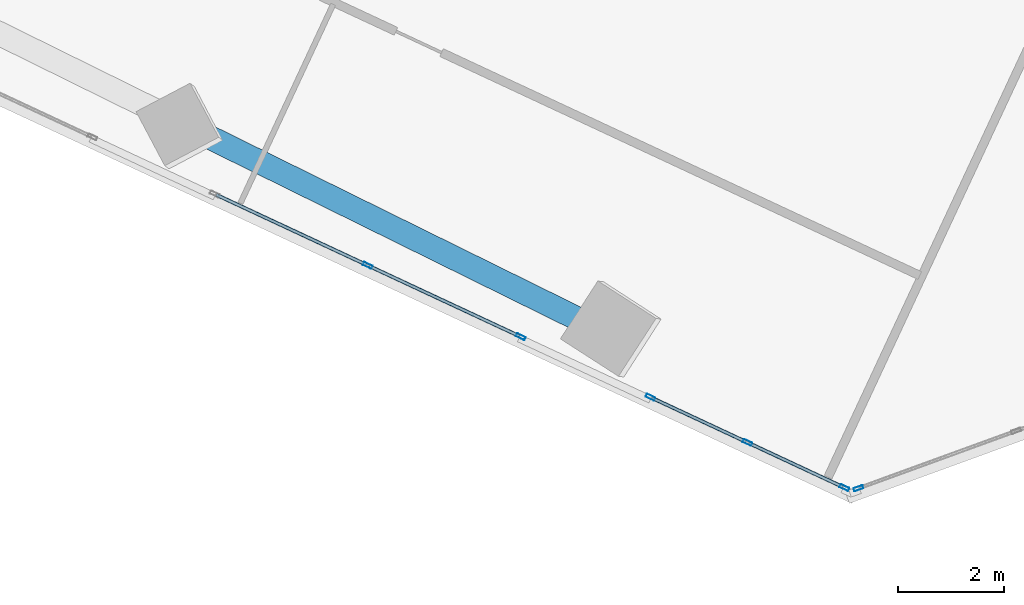
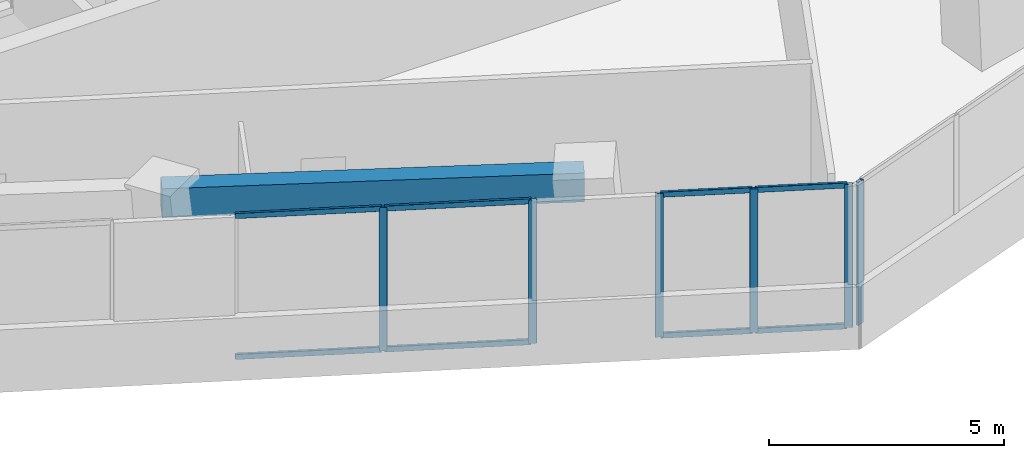
# One storey, part 4 of 23: 14 members, 1 beam, 3 elements without a shape of their own.
"""IFC4 building model written with IfcOpenShell, lengths in metres."""

import ifcopenshell
import ifcopenshell.guid

model = None  # the IFC model being written
_history = None  # IfcOwnerHistory: only IFC2X3 demands one
_inside = {}  # id of a spatial element -> (the spatial element, [elements in it])
_under = {}  # id of a project, library or spatial element -> (it, [spatial elements below it])
_declared = {}  # id of a project -> (the project, [libraries it declares])
_typed = {}  # id of a type object -> (the type object, [elements of that type])
_made_of = {}  # id of a material, layer set ... -> (it, [elements and type objects made of it])


def new_model(schema):
    """Start an empty IFC model of exactly this schema.

    Asked for "IFC4X3", IfcOpenShell would pick the latest addendum, in which some entities
    have other attributes; the version numbers below select the first issue.
    IFC2X3 requires an IfcOwnerHistory on every rooted entity: one is made here for all.
    """
    global model, _history
    if schema == "IFC4X3":
        model = ifcopenshell.file(schema_version=(4, 3, 0, 0))
    else:
        model = ifcopenshell.file(schema=schema)
    _inside.clear()
    _under.clear()
    _declared.clear()
    _typed.clear()
    _made_of.clear()
    _history = None
    if model.schema == "IFC2X3":
        org = make("IfcOrganization", Name="unknown")
        user = make(
            "IfcPersonAndOrganization",
            ThePerson=make("IfcPerson", FamilyName="unknown"),
            TheOrganization=org,
        )
        app = make(
            "IfcApplication",
            ApplicationDeveloper=org,
            Version="unknown",
            ApplicationFullName="unknown",
            ApplicationIdentifier="unknown",
        )
        _history = make(
            "IfcOwnerHistory",
            OwningUser=user,
            OwningApplication=app,
            ChangeAction="ADDED",
            CreationDate=0,
        )
    return model


def make(cls, **values):
    """One entity of the class cls with the attributes given. An attribute that is None is left unset."""
    return model.create_entity(
        cls, **{name: value for name, value in values.items() if value is not None}
    )


def rooted(cls, **values):
    """An entity with a GlobalId (a new one), such as an element, a storey or a relation."""
    return make(cls, GlobalId=ifcopenshell.guid.new(), OwnerHistory=_history, **values)


def si_unit(unit_type, name, prefix=None):
    """IfcSIUnit, for example si_unit("LENGTHUNIT", "METRE", prefix="MILLI")."""
    return make("IfcSIUnit", UnitType=unit_type, Prefix=prefix, Name=name)


def assignment(units):
    """IfcUnitAssignment: the units of a project."""
    return None if units is None else make("IfcUnitAssignment", Units=units)


def point(xyz):
    """IfcCartesianPoint."""
    return None if xyz is None else make("IfcCartesianPoint", Coordinates=xyz)


def direction(xyz):
    """IfcDirection."""
    return None if xyz is None else make("IfcDirection", DirectionRatios=xyz)


def frame(location, z_axis=None, x_axis=None):
    """IfcAxis2Placement3D, a coordinate frame: its origin and axes. An axis left out is left unset."""
    return make(
        "IfcAxis2Placement3D",
        Location=point(location),
        Axis=direction(z_axis),
        RefDirection=direction(x_axis),
    )


def frame_2d(location, x_axis=None):
    """IfcAxis2Placement2D, a coordinate frame in the plane: its origin and x axis."""
    return make(
        "IfcAxis2Placement2D", Location=point(location), RefDirection=direction(x_axis)
    )


def origin():
    """The frame at (0, 0, 0) with its axes left unset."""
    return frame((0.0, 0.0, 0.0))


def origin_2d():
    """The frame at (0, 0) in the plane with its x axis left unset."""
    return frame_2d((0.0, 0.0))


def place(relative_to, where):
    """IfcLocalPlacement: puts the frame where relative to a parent placement (None: the world)."""
    return make(
        "IfcLocalPlacement", PlacementRelTo=relative_to, RelativePlacement=where
    )


def context(
    kind, dimensions, precision=None, world=None, true_north=None, identifier=None
):
    """IfcGeometricRepresentationContext, for example the 3D "Model" context."""
    return make(
        "IfcGeometricRepresentationContext",
        ContextIdentifier=identifier,
        ContextType=kind,
        CoordinateSpaceDimension=dimensions,
        Precision=precision,
        WorldCoordinateSystem=world,
        TrueNorth=true_north,
    )


def subcontext(parent, identifier, kind, view, scale=None):
    """IfcGeometricRepresentationSubContext, for example "Body" below "Model"."""
    return make(
        "IfcGeometricRepresentationSubContext",
        ContextIdentifier=identifier,
        ContextType=kind,
        ParentContext=parent,
        TargetScale=scale,
        TargetView=view,
    )


def project(units=None, contexts=None):
    """IfcProject with its units and contexts."""
    return rooted(
        "IfcProject",
        Name="project",
        RepresentationContexts=contexts,
        UnitsInContext=assignment(units),
    )


def spatial(cls, under=None, at=None, **own):
    """A site, building, storey or space (cls), placed at a placement, below another one or the project."""
    s = rooted(cls, ObjectPlacement=at, **own)
    if under is not None:
        _under.setdefault(under.id(), (under, []))[1].append(s)
    return s


def profile(cls, at=None, kind="AREA", **sizes):
    """A parametric profile (cls). Its sizes go by their IFC names, for example OverallWidth=200.0."""
    return make(cls, ProfileType=kind, Position=at, **sizes)


def rectangle(**sizes):
    """IfcRectangleProfileDef."""
    return profile("IfcRectangleProfileDef", **sizes)


def hollow_rectangle(**sizes):
    """IfcRectangleHollowProfileDef."""
    return profile("IfcRectangleHollowProfileDef", **sizes)


def extrude(swept, where, along, depth):
    """IfcExtrudedAreaSolid: the profile swept, set in the frame where, extruded along a direction by depth."""
    return make(
        "IfcExtrudedAreaSolid",
        SweptArea=swept,
        Position=where,
        ExtrudedDirection=direction(along),
        Depth=depth,
    )


def shape(context_of_items, identifier, shape_type, items):
    """IfcShapeRepresentation: the items that make up one representation, for example the "Body"."""
    return make(
        "IfcShapeRepresentation",
        ContextOfItems=context_of_items,
        RepresentationIdentifier=identifier,
        RepresentationType=shape_type,
        Items=items,
    )


def source(mapping_origin, context_of_items, identifier, shape_type, items):
    """IfcRepresentationMap: a shape defined once, which mapped items show again and again."""
    return make(
        "IfcRepresentationMap",
        MappingOrigin=mapping_origin,
        MappedRepresentation=shape(context_of_items, identifier, shape_type, items),
    )


def transform(
    local_origin,
    x_axis=None,
    y_axis=None,
    z_axis=None,
    scale=None,
    scale2=None,
    scale3=None,
    uniform=True,
):
    """IfcCartesianTransformationOperator3D, or its non-uniform kind. x_axis, y_axis, z_axis: its Axis1, 2, 3."""
    if uniform:
        return make(
            "IfcCartesianTransformationOperator3D",
            Axis1=direction(x_axis),
            Axis2=direction(y_axis),
            LocalOrigin=point(local_origin),
            Scale=scale,
            Axis3=direction(z_axis),
        )
    return make(
        "IfcCartesianTransformationOperator3DnonUniform",
        Axis1=direction(x_axis),
        Axis2=direction(y_axis),
        LocalOrigin=point(local_origin),
        Scale=scale,
        Axis3=direction(z_axis),
        Scale2=scale2,
        Scale3=scale3,
    )


def mapped(mapping_source, mapping_target):
    """IfcMappedItem: shows the shape of a source again, moved by a transform."""
    return make(
        "IfcMappedItem", MappingSource=mapping_source, MappingTarget=mapping_target
    )


def material(Name=None, Category=None):
    """IfcMaterial."""
    return make("IfcMaterial", Name=Name, Category=Category)


def material_profile(
    of_material, cross_section, Name=None, Category=None, Priority=None
):
    """IfcMaterialProfile: a cross section and its material."""
    return make(
        "IfcMaterialProfile",
        Name=Name,
        Material=of_material,
        Profile=cross_section,
        Priority=Priority,
        Category=Category,
    )


def profile_set(profiles, Name=None, composite=None):
    """IfcMaterialProfileSet."""
    return make(
        "IfcMaterialProfileSet",
        Name=Name,
        MaterialProfiles=profiles,
        CompositeProfile=composite,
    )


def made_of(thing, what):
    """Note that an element or type object is made of a material, layer set ...; save() writes the relation."""
    if what is not None:
        _made_of.setdefault(what.id(), (what, []))[1].append(thing)
    return thing


def type_object(cls, material=None, **own):
    """A type object (cls), such as IfcWallType, which elements share."""
    return made_of(rooted(cls, **own), material)


def element(
    cls,
    number,
    at=None,
    inside=None,
    cuts=None,
    type_object=None,
    material=None,
    context=None,
    identifier="Body",
    shape_type=None,
    held_by="IfcProductDefinitionShape",
    body=None,
    shapes=None,
    **own,
):
    """One element of the class cls, such as IfcWall. Its Tag is "e" and its number.

    at: its placement. inside: the storey or other place that contains it. cuts: it is an
    opening in that element (IfcRelVoidsElement). A single representation is given by context,
    identifier, shape_type and body (its items); several are given by shapes. held_by: the class
    of the entity that holds the representations. save() writes the other relations.
    """
    e = rooted(cls, Tag="e%d" % number, ObjectPlacement=at, **own)
    if body is not None:
        shapes = [shape(context, identifier, shape_type, body)]
    if shapes is not None:
        e.Representation = make(held_by, Representations=shapes)
    if inside is not None:
        _inside.setdefault(inside.id(), (inside, []))[1].append(e)
    if cuts is not None:
        rooted(
            "IfcRelVoidsElement", RelatingBuildingElement=cuts, RelatedOpeningElement=e
        )
    if type_object is not None:
        _typed.setdefault(type_object.id(), (type_object, []))[1].append(e)
    return made_of(e, material)


def aggregate(whole, parts):
    """IfcRelAggregates: a whole, such as a stair, and the parts it consists of."""
    return rooted("IfcRelAggregates", RelatingObject=whole, RelatedObjects=parts)


def save(model, path):
    """Write the relations noted so far, then the file.

    IfcRelAggregates (storeys below a building ...), IfcRelContainedInSpatialStructure (elements
    in a storey), IfcRelDefinesByType, IfcRelAssociatesMaterial and IfcRelDeclares: one each for
    every whole, place, type object, material and project.
    """
    for whole, parts in _under.values():
        aggregate(whole, parts)
    for where, things in _inside.values():
        rooted(
            "IfcRelContainedInSpatialStructure",
            RelatedElements=things,
            RelatingStructure=where,
        )
    for kind, things in _typed.values():
        rooted("IfcRelDefinesByType", RelatedObjects=things, RelatingType=kind)
    for what, things in _made_of.values():
        rooted("IfcRelAssociatesMaterial", RelatedObjects=things, RelatingMaterial=what)
    for by, libraries in _declared.values():
        rooted("IfcRelDeclares", RelatingContext=by, RelatedDefinitions=libraries)
    model.write(path)


model = new_model("IFC4")

# Units and contexts
model_context = context("Model", 3, precision=1e-05, world=origin(), true_north=direction((0.0, 1.0)))
body_context = subcontext(model_context, "Body", "Model", "MODEL_VIEW")
ifc_project = project(units=[si_unit("LENGTHUNIT", "METRE"), si_unit("AREAUNIT", "SQUARE_METRE"), si_unit("VOLUMEUNIT", "CUBIC_METRE"), si_unit("PLANEANGLEUNIT", "RADIAN"), si_unit("MASSUNIT", "GRAM", prefix="KILO")], contexts=[model_context])

# Site, building, storey
site_placement = place(None, origin())
site = spatial("IfcSite", under=ifc_project, at=site_placement, CompositionType="ELEMENT")
building_placement = place(site_placement, origin())
building = spatial("IfcBuilding", under=site, at=building_placement, Name="Torre Montelarca", CompositionType="ELEMENT")
storey_placement = place(building_placement, frame((0.0, 0.0, 158.199951171875)))
storey = spatial("IfcBuildingStorey", under=building, at=storey_placement, Name="L35", CompositionType="ELEMENT", Elevation=158.199951171875)

# Beam
ifc_material_1 = material(Name="Concrete C55/67", Category="concrete")
ifc_material_profile_1 = material_profile(ifc_material_1, rectangle(XDim=0.449951171875, YDim=0.75, at=origin_2d()), Name="RCB450X750", Category="concrete")
ifc_profile_set_1 = profile_set([ifc_material_profile_1], Name="Concrete C55/67")
beam_type = type_object("IfcBeamType", Name="BM-SP-RC750-EXT", PredefinedType="SPANDREL", material=ifc_profile_set_1)
shared_shape_1 = source(origin(), body_context, "Body", "SweptSolid", [
    extrude(rectangle(XDim=0.449951171875, YDim=0.75, at=origin_2d()), origin(), (0.0, 0.0, 1.0), 9.0),
])
beam_placement = place(storey_placement, frame((10.753662109375, 18.121826171875, 3.5849609375), z_axis=(0.896866006126, -0.44230234801, 0.0), x_axis=(0.44230234801, 0.896866006126, 0.0)))
element("IfcBeam", 1, at=beam_placement, inside=storey, type_object=beam_type, Name="L35 Grid Girder X 18.0-27.0 at Y=14.8", PredefinedType="SPANDREL", context=body_context, shape_type="MappedRepresentation", body=[
    mapped(shared_shape_1, transform((0.0, 0.0, 0.0), scale=1.0)),
])

# Curtain wall, members
ifc_material_2 = material(Name="Insulated low-E laminated glass", Category="glass")
curtain_wall_type = type_object("IfcCurtainWallType", Name="CW-SYS-Z2", PredefinedType="USERDEFINED", material=ifc_material_2)
curtain_wall_1_placement = place(storey_placement, origin())
curtain_wall_1 = element("IfcCurtainWall", 2, at=curtain_wall_1_placement, inside=storey, type_object=curtain_wall_type, Name="L35 Curtain Wall Run CW-T3-L35-E01-B2", ObjectType="UNITISED GLAZING", PredefinedType="USERDEFINED")
ifc_material_3 = material(Name="Anodised aluminium AA 6063-T6", Category="aluminium")
ifc_material_profile_2 = material_profile(ifc_material_3, hollow_rectangle(XDim=0.06494140625, YDim=0.179931640625, WallThickness=0.00390625, InnerFilletRadius=0.00390625, OuterFilletRadius=0.008056640625, at=origin_2d()), Name="ALU65X180X4", Category="aluminium")
ifc_profile_set_2 = profile_set([ifc_material_profile_2], Name="Anodised aluminium AA 6063-T6")
member_type_1 = type_object("IfcMemberType", Name="CWM-ALU180", PredefinedType="MULLION", material=ifc_profile_set_2)
shared_shape_2 = source(origin(), body_context, "Body", "SweptSolid", [
    extrude(hollow_rectangle(XDim=0.06494140625, YDim=0.179931640625, WallThickness=0.00390625, InnerFilletRadius=0.00390625, OuterFilletRadius=0.008056640625, at=origin_2d()), origin(), (0.0, 0.0, 1.0), 3.719970703125),
])
member_1_placement = place(storey_placement, frame((14.56494140625, 15.2958984375, 0.0), z_axis=(0.0, 0.0, 1.0), x_axis=(0.422605702085, 0.906313643594, 0.0)))
member_1 = element("IfcMember", 3, at=member_1_placement, type_object=member_type_1, Name="CW mullion 2", PredefinedType="MULLION", context=body_context, shape_type="MappedRepresentation", body=[
    mapped(shared_shape_2, transform((0.0, 0.0, 0.0), scale=1.0)),
])
member_2_placement = place(storey_placement, frame((17.453125, 13.94921875, 0.0), z_axis=(0.0, 0.0, 1.0), x_axis=(0.422605702085, 0.906313643594, 0.0)))
member_2 = element("IfcMember", 4, at=member_2_placement, type_object=member_type_1, Name="CW mullion 3", PredefinedType="MULLION", context=body_context, shape_type="MappedRepresentation", body=[
    mapped(shared_shape_2, transform((0.0, 0.0, 0.0), scale=1.0)),
])

curtain_wall_2_placement = place(storey_placement, origin())
curtain_wall_2 = element("IfcCurtainWall", 5, at=curtain_wall_2_placement, inside=storey, type_object=curtain_wall_type, Name="L35 Curtain Wall Run CW-T3-L35-E01-B3", ObjectType="UNITISED GLAZING", PredefinedType="USERDEFINED")
member_3_placement = place(storey_placement, frame((19.901611328125, 12.807373046875, 0.0), z_axis=(0.0, 0.0, 1.0), x_axis=(0.422611990299, 0.906310711432, 0.0)))
member_3 = element("IfcMember", 6, at=member_3_placement, type_object=member_type_1, Name="CW mullion 1", PredefinedType="MULLION", context=body_context, shape_type="MappedRepresentation", body=[
    mapped(shared_shape_2, transform((0.0, 0.0, 0.0), scale=1.0)),
])
member_4_placement = place(storey_placement, frame((21.73193359375, 11.953857421875, 0.0), z_axis=(0.0, 0.0, 1.0), x_axis=(0.422611990299, 0.906310711432, 0.0)))
member_4 = element("IfcMember", 7, at=member_4_placement, type_object=member_type_1, Name="CW mullion 2", PredefinedType="MULLION", context=body_context, shape_type="MappedRepresentation", body=[
    mapped(shared_shape_2, transform((0.0, 0.0, 0.0), scale=1.0)),
])
member_5_placement = place(storey_placement, frame((23.562255859375, 11.100341796875, 0.0), z_axis=(0.0, 0.0, 1.0), x_axis=(0.422611990299, 0.906310711432, 0.0)))
member_5 = element("IfcMember", 8, at=member_5_placement, type_object=member_type_1, Name="CW mullion 3", PredefinedType="MULLION", context=body_context, shape_type="MappedRepresentation", body=[
    mapped(shared_shape_2, transform((0.0, 0.0, 0.0), scale=1.0)),
])

# Curtain wall, member
curtain_wall_3_placement = place(storey_placement, origin())
curtain_wall_3 = element("IfcCurtainWall", 9, at=curtain_wall_3_placement, inside=storey, type_object=curtain_wall_type, Name="L35 Curtain Wall Run CW-T3-L35-E02-B1", ObjectType="UNITISED GLAZING", PredefinedType="USERDEFINED")
member_6_placement = place(storey_placement, frame((23.8291015625, 11.088623046875, 0.0), z_axis=(0.0, 0.0, 1.0), x_axis=(-0.342017799316, 0.939693473932, 0.0)))
member_6 = element("IfcMember", 10, at=member_6_placement, type_object=member_type_1, Name="CW mullion 1", PredefinedType="MULLION", context=body_context, shape_type="MappedRepresentation", body=[
    mapped(shared_shape_2, transform((0.0, 0.0, 0.0), scale=1.0)),
])
aggregate(curtain_wall_3, [member_6])

# Member
ifc_material_profile_3 = material_profile(ifc_material_3, hollow_rectangle(XDim=0.06494140625, YDim=0.139892578125, WallThickness=0.00390625, InnerFilletRadius=0.00390625, OuterFilletRadius=0.008056640625, at=origin_2d()), Name="ALU65X140X4", Category="aluminium")
ifc_profile_set_3 = profile_set([ifc_material_profile_3], Name="Anodised aluminium AA 6063-T6")
member_type_2 = type_object("IfcMemberType", Name="CWT-ALU140", PredefinedType="USERDEFINED", material=ifc_profile_set_3)
shared_shape_3 = source(origin(), body_context, "Body", "SweptSolid", [
    extrude(hollow_rectangle(XDim=0.06494140625, YDim=0.139892578125, WallThickness=0.00390625, InnerFilletRadius=0.00390625, OuterFilletRadius=0.008056640625, at=origin_2d()), origin(), (0.0, 0.0, 1.0), 3.12158203125),
])
member_7_placement = place(storey_placement, frame((14.594482421875, 15.2822265625, 0.032470703125), z_axis=(0.906294999648, -0.422645683301, 0.0), x_axis=(0.422645683301, 0.906294999648, 0.0)))
member_7 = element("IfcMember", 11, at=member_7_placement, type_object=member_type_2, Name="CW transom 2.1", ObjectType="TRANSOM", PredefinedType="USERDEFINED", context=body_context, shape_type="MappedRepresentation", body=[
    mapped(shared_shape_3, transform((0.0, 0.0, 0.0), scale=1.0)),
])

member_8_placement = place(storey_placement, frame((14.594482421875, 15.2822265625, 3.6875), z_axis=(0.906294999648, -0.422645683301, 0.0), x_axis=(0.422645683301, 0.906294999648, 0.0)))
member_8 = element("IfcMember", 12, at=member_8_placement, type_object=member_type_2, Name="CW transom 2.2", ObjectType="TRANSOM", PredefinedType="USERDEFINED", context=body_context, shape_type="MappedRepresentation", body=[
    mapped(shared_shape_3, transform((0.0, 0.0, 0.0), scale=1.0)),
])

shared_shape_4 = source(origin(), body_context, "Body", "SweptSolid", [
    extrude(hollow_rectangle(XDim=0.06494140625, YDim=0.139892578125, WallThickness=0.00390625, InnerFilletRadius=0.00390625, OuterFilletRadius=0.008056640625, at=origin_2d()), origin(), (0.0, 0.0, 1.0), 3.121826171875),
])
member_9_placement = place(storey_placement, frame((11.706298828125, 16.62890625, 0.032470703125), z_axis=(0.906308968728, -0.422615727587, 0.0), x_axis=(0.422615727587, 0.906308968728, 0.0)))
member_9 = element("IfcMember", 13, at=member_9_placement, type_object=member_type_2, Name="CW transom 1.1", ObjectType="TRANSOM", PredefinedType="USERDEFINED", context=body_context, shape_type="MappedRepresentation", body=[
    mapped(shared_shape_4, transform((0.0, 0.0, 0.0), scale=1.0)),
])

member_10_placement = place(storey_placement, frame((11.706298828125, 16.62890625, 3.6875), z_axis=(0.906308968728, -0.422615727587, 0.0), x_axis=(0.422615727587, 0.906308968728, 0.0)))
member_10 = element("IfcMember", 14, at=member_10_placement, type_object=member_type_2, Name="CW transom 1.2", ObjectType="TRANSOM", PredefinedType="USERDEFINED", context=body_context, shape_type="MappedRepresentation", body=[
    mapped(shared_shape_4, transform((0.0, 0.0, 0.0), scale=1.0)),
])

aggregate(curtain_wall_1, [member_1, member_2, member_9, member_10, member_7, member_8])

shared_shape_5 = source(origin(), body_context, "Body", "SweptSolid", [
    extrude(hollow_rectangle(XDim=0.06494140625, YDim=0.139892578125, WallThickness=0.00390625, InnerFilletRadius=0.00390625, OuterFilletRadius=0.008056640625, at=origin_2d()), origin(), (0.0, 0.0, 1.0), 1.954345703125),
])
member_11_placement = place(storey_placement, frame((19.93115234375, 12.793701171875, 0.032470703125), z_axis=(0.90626290575, -0.422714496631, 0.0), x_axis=(0.422714496631, 0.90626290575, 0.0)))
member_11 = element("IfcMember", 15, at=member_11_placement, type_object=member_type_2, Name="CW transom 1.1", ObjectType="TRANSOM", PredefinedType="USERDEFINED", context=body_context, shape_type="MappedRepresentation", body=[
    mapped(shared_shape_5, transform((0.0, 0.0, 0.0), scale=1.0)),
])

member_12_placement = place(storey_placement, frame((19.93115234375, 12.793701171875, 3.6875), z_axis=(0.90626290575, -0.422714496631, 0.0), x_axis=(0.422714496631, 0.90626290575, 0.0)))
member_12 = element("IfcMember", 16, at=member_12_placement, type_object=member_type_2, Name="CW transom 1.2", ObjectType="TRANSOM", PredefinedType="USERDEFINED", context=body_context, shape_type="MappedRepresentation", body=[
    mapped(shared_shape_5, transform((0.0, 0.0, 0.0), scale=1.0)),
])

member_13_placement = place(storey_placement, frame((21.761474609375, 11.940185546875, 0.032470703125), z_axis=(0.906310756456, -0.422611893741, 0.0), x_axis=(0.422611893741, 0.906310756456, 0.0)))
member_13 = element("IfcMember", 17, at=member_13_placement, type_object=member_type_2, Name="CW transom 2.1", ObjectType="TRANSOM", PredefinedType="USERDEFINED", context=body_context, shape_type="MappedRepresentation", body=[
    mapped(shared_shape_5, transform((0.0, 0.0, 0.0), scale=1.0)),
])

member_14_placement = place(storey_placement, frame((21.761474609375, 11.940185546875, 3.6875), z_axis=(0.906310756456, -0.422611893741, 0.0), x_axis=(0.422611893741, 0.906310756456, 0.0)))
member_14 = element("IfcMember", 18, at=member_14_placement, type_object=member_type_2, Name="CW transom 2.2", ObjectType="TRANSOM", PredefinedType="USERDEFINED", context=body_context, shape_type="MappedRepresentation", body=[
    mapped(shared_shape_5, transform((0.0, 0.0, 0.0), scale=1.0)),
])

aggregate(curtain_wall_2, [member_3, member_4, member_5, member_11, member_12, member_13, member_14])

save(model, "model.ifc")
